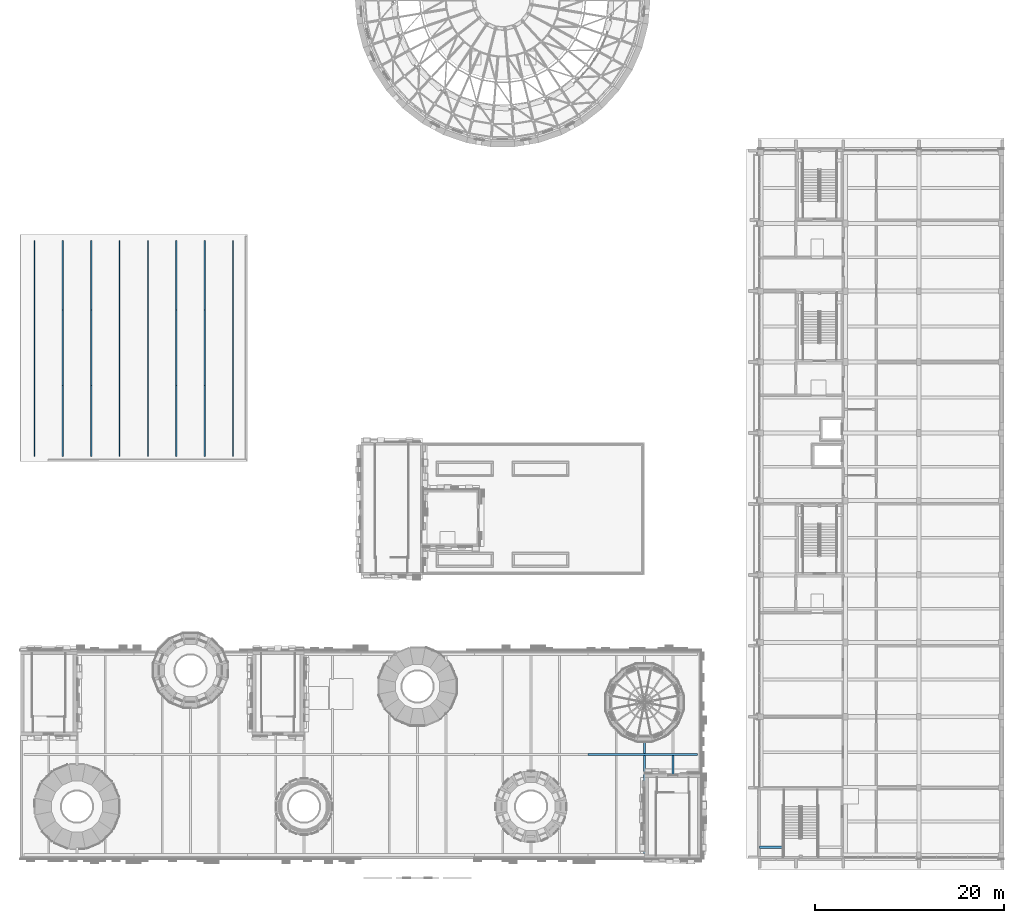
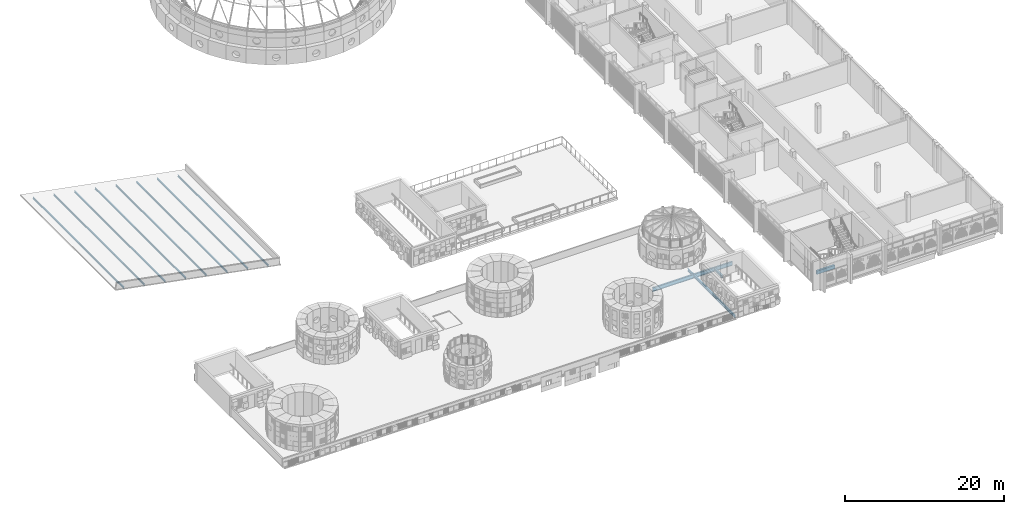
# One storey, part 13 of 98: 27 members, 2 beams.
"""IFC4 building model written with IfcOpenShell, lengths in metres."""

import ifcopenshell
import ifcopenshell.guid

model = None  # the IFC model being written
_history = None  # IfcOwnerHistory: only IFC2X3 demands one
_inside = {}  # id of a spatial element -> (the spatial element, [elements in it])
_under = {}  # id of a project, library or spatial element -> (it, [spatial elements below it])
_declared = {}  # id of a project -> (the project, [libraries it declares])
_typed = {}  # id of a type object -> (the type object, [elements of that type])
_made_of = {}  # id of a material, layer set ... -> (it, [elements and type objects made of it])


def new_model(schema):
    """Start an empty IFC model of exactly this schema.

    Asked for "IFC4X3", IfcOpenShell would pick the latest addendum, in which some entities
    have other attributes; the version numbers below select the first issue.
    IFC2X3 requires an IfcOwnerHistory on every rooted entity: one is made here for all.
    """
    global model, _history
    if schema == "IFC4X3":
        model = ifcopenshell.file(schema_version=(4, 3, 0, 0))
    else:
        model = ifcopenshell.file(schema=schema)
    _inside.clear()
    _under.clear()
    _declared.clear()
    _typed.clear()
    _made_of.clear()
    _history = None
    if model.schema == "IFC2X3":
        org = make("IfcOrganization", Name="unknown")
        user = make(
            "IfcPersonAndOrganization",
            ThePerson=make("IfcPerson", FamilyName="unknown"),
            TheOrganization=org,
        )
        app = make(
            "IfcApplication",
            ApplicationDeveloper=org,
            Version="unknown",
            ApplicationFullName="unknown",
            ApplicationIdentifier="unknown",
        )
        _history = make(
            "IfcOwnerHistory",
            OwningUser=user,
            OwningApplication=app,
            ChangeAction="ADDED",
            CreationDate=0,
        )
    return model


def make(cls, **values):
    """One entity of the class cls with the attributes given. An attribute that is None is left unset."""
    return model.create_entity(
        cls, **{name: value for name, value in values.items() if value is not None}
    )


def rooted(cls, **values):
    """An entity with a GlobalId (a new one), such as an element, a storey or a relation."""
    return make(cls, GlobalId=ifcopenshell.guid.new(), OwnerHistory=_history, **values)


def si_unit(unit_type, name, prefix=None):
    """IfcSIUnit, for example si_unit("LENGTHUNIT", "METRE", prefix="MILLI")."""
    return make("IfcSIUnit", UnitType=unit_type, Prefix=prefix, Name=name)


def assignment(units):
    """IfcUnitAssignment: the units of a project."""
    return None if units is None else make("IfcUnitAssignment", Units=units)


def point(xyz):
    """IfcCartesianPoint."""
    return None if xyz is None else make("IfcCartesianPoint", Coordinates=xyz)


def direction(xyz):
    """IfcDirection."""
    return None if xyz is None else make("IfcDirection", DirectionRatios=xyz)


def frame(location, z_axis=None, x_axis=None):
    """IfcAxis2Placement3D, a coordinate frame: its origin and axes. An axis left out is left unset."""
    return make(
        "IfcAxis2Placement3D",
        Location=point(location),
        Axis=direction(z_axis),
        RefDirection=direction(x_axis),
    )


def frame_2d(location, x_axis=None):
    """IfcAxis2Placement2D, a coordinate frame in the plane: its origin and x axis."""
    return make(
        "IfcAxis2Placement2D", Location=point(location), RefDirection=direction(x_axis)
    )


def origin():
    """The frame at (0, 0, 0) with its axes left unset."""
    return frame((0.0, 0.0, 0.0))


def origin_2d():
    """The frame at (0, 0) in the plane with its x axis left unset."""
    return frame_2d((0.0, 0.0))


def place(relative_to, where):
    """IfcLocalPlacement: puts the frame where relative to a parent placement (None: the world)."""
    return make(
        "IfcLocalPlacement", PlacementRelTo=relative_to, RelativePlacement=where
    )


def context(
    kind, dimensions, precision=None, world=None, true_north=None, identifier=None
):
    """IfcGeometricRepresentationContext, for example the 3D "Model" context."""
    return make(
        "IfcGeometricRepresentationContext",
        ContextIdentifier=identifier,
        ContextType=kind,
        CoordinateSpaceDimension=dimensions,
        Precision=precision,
        WorldCoordinateSystem=world,
        TrueNorth=true_north,
    )


def subcontext(parent, identifier, kind, view, scale=None):
    """IfcGeometricRepresentationSubContext, for example "Body" below "Model"."""
    return make(
        "IfcGeometricRepresentationSubContext",
        ContextIdentifier=identifier,
        ContextType=kind,
        ParentContext=parent,
        TargetScale=scale,
        TargetView=view,
    )


def project(units=None, contexts=None):
    """IfcProject with its units and contexts."""
    return rooted(
        "IfcProject",
        Name="project",
        RepresentationContexts=contexts,
        UnitsInContext=assignment(units),
    )


def spatial(cls, under=None, at=None, **own):
    """A site, building, storey or space (cls), placed at a placement, below another one or the project."""
    s = rooted(cls, ObjectPlacement=at, **own)
    if under is not None:
        _under.setdefault(under.id(), (under, []))[1].append(s)
    return s


def profile(cls, at=None, kind="AREA", **sizes):
    """A parametric profile (cls). Its sizes go by their IFC names, for example OverallWidth=200.0."""
    return make(cls, ProfileType=kind, Position=at, **sizes)


def rectangle(**sizes):
    """IfcRectangleProfileDef."""
    return profile("IfcRectangleProfileDef", **sizes)


def i_section(**sizes):
    """IfcIShapeProfileDef."""
    return profile("IfcIShapeProfileDef", **sizes)


def extrude(swept, where, along, depth):
    """IfcExtrudedAreaSolid: the profile swept, set in the frame where, extruded along a direction by depth."""
    return make(
        "IfcExtrudedAreaSolid",
        SweptArea=swept,
        Position=where,
        ExtrudedDirection=direction(along),
        Depth=depth,
    )


def shape(context_of_items, identifier, shape_type, items):
    """IfcShapeRepresentation: the items that make up one representation, for example the "Body"."""
    return make(
        "IfcShapeRepresentation",
        ContextOfItems=context_of_items,
        RepresentationIdentifier=identifier,
        RepresentationType=shape_type,
        Items=items,
    )


def material(Name=None, Category=None):
    """IfcMaterial."""
    return make("IfcMaterial", Name=Name, Category=Category)


def material_profile(
    of_material, cross_section, Name=None, Category=None, Priority=None
):
    """IfcMaterialProfile: a cross section and its material."""
    return make(
        "IfcMaterialProfile",
        Name=Name,
        Material=of_material,
        Profile=cross_section,
        Priority=Priority,
        Category=Category,
    )


def profile_set(profiles, Name=None, composite=None):
    """IfcMaterialProfileSet."""
    return make(
        "IfcMaterialProfileSet",
        Name=Name,
        MaterialProfiles=profiles,
        CompositeProfile=composite,
    )


def made_of(thing, what):
    """Note that an element or type object is made of a material, layer set ...; save() writes the relation."""
    if what is not None:
        _made_of.setdefault(what.id(), (what, []))[1].append(thing)
    return thing


def type_object(cls, material=None, **own):
    """A type object (cls), such as IfcWallType, which elements share."""
    return made_of(rooted(cls, **own), material)


def element(
    cls,
    number,
    at=None,
    inside=None,
    cuts=None,
    type_object=None,
    material=None,
    context=None,
    identifier="Body",
    shape_type=None,
    held_by="IfcProductDefinitionShape",
    body=None,
    shapes=None,
    **own,
):
    """One element of the class cls, such as IfcWall. Its Tag is "e" and its number.

    at: its placement. inside: the storey or other place that contains it. cuts: it is an
    opening in that element (IfcRelVoidsElement). A single representation is given by context,
    identifier, shape_type and body (its items); several are given by shapes. held_by: the class
    of the entity that holds the representations. save() writes the other relations.
    """
    e = rooted(cls, Tag="e%d" % number, ObjectPlacement=at, **own)
    if body is not None:
        shapes = [shape(context, identifier, shape_type, body)]
    if shapes is not None:
        e.Representation = make(held_by, Representations=shapes)
    if inside is not None:
        _inside.setdefault(inside.id(), (inside, []))[1].append(e)
    if cuts is not None:
        rooted(
            "IfcRelVoidsElement", RelatingBuildingElement=cuts, RelatedOpeningElement=e
        )
    if type_object is not None:
        _typed.setdefault(type_object.id(), (type_object, []))[1].append(e)
    return made_of(e, material)


def aggregate(whole, parts):
    """IfcRelAggregates: a whole, such as a stair, and the parts it consists of."""
    return rooted("IfcRelAggregates", RelatingObject=whole, RelatedObjects=parts)


def save(model, path):
    """Write the relations noted so far, then the file.

    IfcRelAggregates (storeys below a building ...), IfcRelContainedInSpatialStructure (elements
    in a storey), IfcRelDefinesByType, IfcRelAssociatesMaterial and IfcRelDeclares: one each for
    every whole, place, type object, material and project.
    """
    for whole, parts in _under.values():
        aggregate(whole, parts)
    for where, things in _inside.values():
        rooted(
            "IfcRelContainedInSpatialStructure",
            RelatedElements=things,
            RelatingStructure=where,
        )
    for kind, things in _typed.values():
        rooted("IfcRelDefinesByType", RelatedObjects=things, RelatingType=kind)
    for what, things in _made_of.values():
        rooted("IfcRelAssociatesMaterial", RelatedObjects=things, RelatingMaterial=what)
    for by, libraries in _declared.values():
        rooted("IfcRelDeclares", RelatingContext=by, RelatedDefinitions=libraries)
    model.write(path)


model = new_model("IFC4")

# Units and contexts
model_context = context("Model", 3, precision=1e-05, world=origin(), true_north=direction((0.0, 1.0)))
body_context = subcontext(model_context, "Body", "Model", "MODEL_VIEW")
ifc_project = project(units=[si_unit("LENGTHUNIT", "METRE"), si_unit("AREAUNIT", "SQUARE_METRE"), si_unit("VOLUMEUNIT", "CUBIC_METRE"), si_unit("PLANEANGLEUNIT", "RADIAN"), si_unit("MASSUNIT", "GRAM", prefix="KILO")], contexts=[model_context])

# Site, building, storey
site_placement = place(None, origin())
site = spatial("IfcSite", under=ifc_project, at=site_placement, CompositionType="ELEMENT")
building_placement = place(site_placement, origin())
building = spatial("IfcBuilding", under=site, at=building_placement, Name="Sun Court Science Centre", CompositionType="ELEMENT")
storey_placement = place(building_placement, frame((0.0, 0.0, 15.75)))
storey = spatial("IfcBuildingStorey", under=building, at=storey_placement, Name="L03", CompositionType="ELEMENT", Elevation=15.75)

# Beam
ifc_material_1 = material(Name="Concrete C25/30", Category="concrete")
ifc_material_profile_1 = material_profile(ifc_material_1, rectangle(XDim=0.300048828125, YDim=0.5, at=origin_2d()), Name="RC 300x500")
ifc_profile_set_1 = profile_set([ifc_material_profile_1], Name="Concrete C25/30")
beam_type_1 = type_object("IfcBeamType", Name="RC landing trimmer 300x500", PredefinedType="BEAM", material=ifc_profile_set_1)
beam_1_placement = place(storey_placement, frame((78.14990234375, 7.196044921875, 1.800048828125), z_axis=(1.0, 0.0, 0.0), x_axis=(0.0, 1.0, 0.0)))
element("IfcBeam", 1, at=beam_1_placement, inside=storey, type_object=beam_type_1, Name="SL1 landing 1 trimmer beam 22", PredefinedType="BEAM", context=body_context, shape_type="SweptSolid", body=[
    extrude(rectangle(XDim=0.300048828125, YDim=0.5, at=origin_2d()), origin(), (0.0, 0.0, 1.0), 2.6171875),
])

# Members
ifc_material_2 = material(Name="Steel S275", Category="steel")
ifc_material_profile_2 = material_profile(ifc_material_2, i_section(OverallWidth=0.135009765625, OverallDepth=0.27001953125, WebThickness=0.006591796875, FlangeThickness=0.01025390625, FilletRadius=0.014892578125, at=origin_2d()), Name="IPE 270")
ifc_profile_set_2 = profile_set([ifc_material_profile_2], Name="Steel S275")
member_type_1 = type_object("IfcMemberType", Name="Roof purlin IPE 270", PredefinedType="PURLIN", material=ifc_profile_set_2)
member_1_placement = place(storey_placement, frame((1.5, 48.5, 1.183837890625), z_axis=(0.0, 1.0, 0.0), x_axis=(-1.0, 0.0, 0.0)))
element("IfcMember", 2, at=member_1_placement, inside=storey, type_object=member_type_1, Name="Theatre roof purlin", PredefinedType="PURLIN", context=body_context, shape_type="SweptSolid", body=[
    extrude(i_section(OverallWidth=0.135009765625, OverallDepth=0.27001953125, WebThickness=0.006591796875, FlangeThickness=0.01025390625, FilletRadius=0.014892578125, at=origin_2d()), origin(), (0.0, 0.0, 1.0), 7.5),
])
member_2_placement = place(storey_placement, frame((1.5, 56.0, 1.183837890625), z_axis=(0.0, 1.0, 0.0), x_axis=(-1.0, 0.0, 0.0)))
element("IfcMember", 3, at=member_2_placement, inside=storey, type_object=member_type_1, Name="Theatre roof purlin", PredefinedType="PURLIN", context=body_context, shape_type="SweptSolid", body=[
    extrude(i_section(OverallWidth=0.135009765625, OverallDepth=0.27001953125, WebThickness=0.006591796875, FlangeThickness=0.01025390625, FilletRadius=0.014892578125, at=origin_2d()), origin(), (0.0, 0.0, 1.0), 8.0),
])
member_3_placement = place(storey_placement, frame((1.5, 64.0, 1.183837890625), z_axis=(0.0, 1.0, 0.0), x_axis=(-1.0, 0.0, 0.0)))
element("IfcMember", 4, at=member_3_placement, inside=storey, type_object=member_type_1, Name="Theatre roof purlin", PredefinedType="PURLIN", context=body_context, shape_type="SweptSolid", body=[
    extrude(i_section(OverallWidth=0.135009765625, OverallDepth=0.27001953125, WebThickness=0.006591796875, FlangeThickness=0.01025390625, FilletRadius=0.014892578125, at=origin_2d()), origin(), (0.0, 0.0, 1.0), 7.35009765625),
])
member_4_placement = place(storey_placement, frame((4.5, 48.5, 0.621337890625), z_axis=(0.0, 1.0, 0.0), x_axis=(-1.0, 0.0, 0.0)))
element("IfcMember", 5, at=member_4_placement, inside=storey, type_object=member_type_1, Name="Theatre roof purlin", PredefinedType="PURLIN", context=body_context, shape_type="SweptSolid", body=[
    extrude(i_section(OverallWidth=0.135009765625, OverallDepth=0.27001953125, WebThickness=0.006591796875, FlangeThickness=0.01025390625, FilletRadius=0.014892578125, at=origin_2d()), origin(), (0.0, 0.0, 1.0), 7.5),
])
member_5_placement = place(storey_placement, frame((4.5, 56.0, 0.621337890625), z_axis=(0.0, 1.0, 0.0), x_axis=(-1.0, 0.0, 0.0)))
element("IfcMember", 6, at=member_5_placement, inside=storey, type_object=member_type_1, Name="Theatre roof purlin", PredefinedType="PURLIN", context=body_context, shape_type="SweptSolid", body=[
    extrude(i_section(OverallWidth=0.135009765625, OverallDepth=0.27001953125, WebThickness=0.006591796875, FlangeThickness=0.01025390625, FilletRadius=0.014892578125, at=origin_2d()), origin(), (0.0, 0.0, 1.0), 8.0),
])
member_6_placement = place(storey_placement, frame((4.5, 64.0, 0.621337890625), z_axis=(0.0, 1.0, 0.0), x_axis=(-1.0, 0.0, 0.0)))
element("IfcMember", 7, at=member_6_placement, inside=storey, type_object=member_type_1, Name="Theatre roof purlin", PredefinedType="PURLIN", context=body_context, shape_type="SweptSolid", body=[
    extrude(i_section(OverallWidth=0.135009765625, OverallDepth=0.27001953125, WebThickness=0.006591796875, FlangeThickness=0.01025390625, FilletRadius=0.014892578125, at=origin_2d()), origin(), (0.0, 0.0, 1.0), 7.35009765625),
])
member_7_placement = place(storey_placement, frame((7.5, 48.5, 0.058837890625), z_axis=(0.0, 1.0, 0.0), x_axis=(-1.0, 0.0, 0.0)))
element("IfcMember", 8, at=member_7_placement, inside=storey, type_object=member_type_1, Name="Theatre roof purlin", PredefinedType="PURLIN", context=body_context, shape_type="SweptSolid", body=[
    extrude(i_section(OverallWidth=0.135009765625, OverallDepth=0.27001953125, WebThickness=0.006591796875, FlangeThickness=0.01025390625, FilletRadius=0.014892578125, at=origin_2d()), origin(), (0.0, 0.0, 1.0), 7.5),
])
member_8_placement = place(storey_placement, frame((7.5, 56.0, 0.058837890625), z_axis=(0.0, 1.0, 0.0), x_axis=(-1.0, 0.0, 0.0)))
element("IfcMember", 9, at=member_8_placement, inside=storey, type_object=member_type_1, Name="Theatre roof purlin", PredefinedType="PURLIN", context=body_context, shape_type="SweptSolid", body=[
    extrude(i_section(OverallWidth=0.135009765625, OverallDepth=0.27001953125, WebThickness=0.006591796875, FlangeThickness=0.01025390625, FilletRadius=0.014892578125, at=origin_2d()), origin(), (0.0, 0.0, 1.0), 8.0),
])
member_9_placement = place(storey_placement, frame((7.5, 64.0, 0.058837890625), z_axis=(0.0, 1.0, 0.0), x_axis=(-1.0, 0.0, 0.0)))
element("IfcMember", 10, at=member_9_placement, inside=storey, type_object=member_type_1, Name="Theatre roof purlin", PredefinedType="PURLIN", context=body_context, shape_type="SweptSolid", body=[
    extrude(i_section(OverallWidth=0.135009765625, OverallDepth=0.27001953125, WebThickness=0.006591796875, FlangeThickness=0.01025390625, FilletRadius=0.014892578125, at=origin_2d()), origin(), (0.0, 0.0, 1.0), 7.35009765625),
])
member_10_placement = place(storey_placement, frame((10.5, 48.5, -0.503662109375), z_axis=(0.0, 1.0, 0.0), x_axis=(-1.0, 0.0, 0.0)))
element("IfcMember", 11, at=member_10_placement, inside=storey, type_object=member_type_1, Name="Theatre roof purlin", PredefinedType="PURLIN", context=body_context, shape_type="SweptSolid", body=[
    extrude(i_section(OverallWidth=0.135009765625, OverallDepth=0.27001953125, WebThickness=0.006591796875, FlangeThickness=0.01025390625, FilletRadius=0.014892578125, at=origin_2d()), origin(), (0.0, 0.0, 1.0), 7.5),
])
member_11_placement = place(storey_placement, frame((10.5, 56.0, -0.503662109375), z_axis=(0.0, 1.0, 0.0), x_axis=(-1.0, 0.0, 0.0)))
element("IfcMember", 12, at=member_11_placement, inside=storey, type_object=member_type_1, Name="Theatre roof purlin", PredefinedType="PURLIN", context=body_context, shape_type="SweptSolid", body=[
    extrude(i_section(OverallWidth=0.135009765625, OverallDepth=0.27001953125, WebThickness=0.006591796875, FlangeThickness=0.01025390625, FilletRadius=0.014892578125, at=origin_2d()), origin(), (0.0, 0.0, 1.0), 8.0),
])
member_12_placement = place(storey_placement, frame((10.5, 64.0, -0.503662109375), z_axis=(0.0, 1.0, 0.0), x_axis=(-1.0, 0.0, 0.0)))
element("IfcMember", 13, at=member_12_placement, inside=storey, type_object=member_type_1, Name="Theatre roof purlin", PredefinedType="PURLIN", context=body_context, shape_type="SweptSolid", body=[
    extrude(i_section(OverallWidth=0.135009765625, OverallDepth=0.27001953125, WebThickness=0.006591796875, FlangeThickness=0.01025390625, FilletRadius=0.014892578125, at=origin_2d()), origin(), (0.0, 0.0, 1.0), 7.35009765625),
])
member_13_placement = place(storey_placement, frame((13.5, 48.5, -1.066162109375), z_axis=(0.0, 1.0, 0.0), x_axis=(-1.0, 0.0, 0.0)))
element("IfcMember", 14, at=member_13_placement, inside=storey, type_object=member_type_1, Name="Theatre roof purlin", PredefinedType="PURLIN", context=body_context, shape_type="SweptSolid", body=[
    extrude(i_section(OverallWidth=0.135009765625, OverallDepth=0.27001953125, WebThickness=0.006591796875, FlangeThickness=0.01025390625, FilletRadius=0.014892578125, at=origin_2d()), origin(), (0.0, 0.0, 1.0), 7.5),
])
member_14_placement = place(storey_placement, frame((13.5, 56.0, -1.066162109375), z_axis=(0.0, 1.0, 0.0), x_axis=(-1.0, 0.0, 0.0)))
element("IfcMember", 15, at=member_14_placement, inside=storey, type_object=member_type_1, Name="Theatre roof purlin", PredefinedType="PURLIN", context=body_context, shape_type="SweptSolid", body=[
    extrude(i_section(OverallWidth=0.135009765625, OverallDepth=0.27001953125, WebThickness=0.006591796875, FlangeThickness=0.01025390625, FilletRadius=0.014892578125, at=origin_2d()), origin(), (0.0, 0.0, 1.0), 8.0),
])
member_15_placement = place(storey_placement, frame((13.5, 64.0, -1.066162109375), z_axis=(0.0, 1.0, 0.0), x_axis=(-1.0, 0.0, 0.0)))
element("IfcMember", 16, at=member_15_placement, inside=storey, type_object=member_type_1, Name="Theatre roof purlin", PredefinedType="PURLIN", context=body_context, shape_type="SweptSolid", body=[
    extrude(i_section(OverallWidth=0.135009765625, OverallDepth=0.27001953125, WebThickness=0.006591796875, FlangeThickness=0.01025390625, FilletRadius=0.014892578125, at=origin_2d()), origin(), (0.0, 0.0, 1.0), 7.35009765625),
])
member_16_placement = place(storey_placement, frame((16.5, 48.5, -1.628662109375), z_axis=(0.0, 1.0, 0.0), x_axis=(-1.0, 0.0, 0.0)))
element("IfcMember", 17, at=member_16_placement, inside=storey, type_object=member_type_1, Name="Theatre roof purlin", PredefinedType="PURLIN", context=body_context, shape_type="SweptSolid", body=[
    extrude(i_section(OverallWidth=0.135009765625, OverallDepth=0.27001953125, WebThickness=0.006591796875, FlangeThickness=0.01025390625, FilletRadius=0.014892578125, at=origin_2d()), origin(), (0.0, 0.0, 1.0), 7.5),
])
member_17_placement = place(storey_placement, frame((16.5, 56.0, -1.628662109375), z_axis=(0.0, 1.0, 0.0), x_axis=(-1.0, 0.0, 0.0)))
element("IfcMember", 18, at=member_17_placement, inside=storey, type_object=member_type_1, Name="Theatre roof purlin", PredefinedType="PURLIN", context=body_context, shape_type="SweptSolid", body=[
    extrude(i_section(OverallWidth=0.135009765625, OverallDepth=0.27001953125, WebThickness=0.006591796875, FlangeThickness=0.01025390625, FilletRadius=0.014892578125, at=origin_2d()), origin(), (0.0, 0.0, 1.0), 8.0),
])
member_18_placement = place(storey_placement, frame((16.5, 64.0, -1.628662109375), z_axis=(0.0, 1.0, 0.0), x_axis=(-1.0, 0.0, 0.0)))
element("IfcMember", 19, at=member_18_placement, inside=storey, type_object=member_type_1, Name="Theatre roof purlin", PredefinedType="PURLIN", context=body_context, shape_type="SweptSolid", body=[
    extrude(i_section(OverallWidth=0.135009765625, OverallDepth=0.27001953125, WebThickness=0.006591796875, FlangeThickness=0.01025390625, FilletRadius=0.014892578125, at=origin_2d()), origin(), (0.0, 0.0, 1.0), 7.35009765625),
])
member_19_placement = place(storey_placement, frame((19.5, 48.5, -2.191162109375), z_axis=(0.0, 1.0, 0.0), x_axis=(-1.0, 0.0, 0.0)))
element("IfcMember", 20, at=member_19_placement, inside=storey, type_object=member_type_1, Name="Theatre roof purlin", PredefinedType="PURLIN", context=body_context, shape_type="SweptSolid", body=[
    extrude(i_section(OverallWidth=0.135009765625, OverallDepth=0.27001953125, WebThickness=0.006591796875, FlangeThickness=0.01025390625, FilletRadius=0.014892578125, at=origin_2d()), origin(), (0.0, 0.0, 1.0), 7.5),
])
member_20_placement = place(storey_placement, frame((19.5, 56.0, -2.191162109375), z_axis=(0.0, 1.0, 0.0), x_axis=(-1.0, 0.0, 0.0)))
element("IfcMember", 21, at=member_20_placement, inside=storey, type_object=member_type_1, Name="Theatre roof purlin", PredefinedType="PURLIN", context=body_context, shape_type="SweptSolid", body=[
    extrude(i_section(OverallWidth=0.135009765625, OverallDepth=0.27001953125, WebThickness=0.006591796875, FlangeThickness=0.01025390625, FilletRadius=0.014892578125, at=origin_2d()), origin(), (0.0, 0.0, 1.0), 8.0),
])
member_21_placement = place(storey_placement, frame((19.5, 64.0, -2.191162109375), z_axis=(0.0, 1.0, 0.0), x_axis=(-1.0, 0.0, 0.0)))
element("IfcMember", 22, at=member_21_placement, inside=storey, type_object=member_type_1, Name="Theatre roof purlin", PredefinedType="PURLIN", context=body_context, shape_type="SweptSolid", body=[
    extrude(i_section(OverallWidth=0.135009765625, OverallDepth=0.27001953125, WebThickness=0.006591796875, FlangeThickness=0.01025390625, FilletRadius=0.014892578125, at=origin_2d()), origin(), (0.0, 0.0, 1.0), 7.35009765625),
])
member_22_placement = place(storey_placement, frame((22.5, 48.5, -2.753662109375), z_axis=(0.0, 1.0, 0.0), x_axis=(-1.0, 0.0, 0.0)))
element("IfcMember", 23, at=member_22_placement, inside=storey, type_object=member_type_1, Name="Theatre roof purlin", PredefinedType="PURLIN", context=body_context, shape_type="SweptSolid", body=[
    extrude(i_section(OverallWidth=0.135009765625, OverallDepth=0.27001953125, WebThickness=0.006591796875, FlangeThickness=0.01025390625, FilletRadius=0.014892578125, at=origin_2d()), origin(), (0.0, 0.0, 1.0), 7.5),
])
member_23_placement = place(storey_placement, frame((22.5, 56.0, -2.753662109375), z_axis=(0.0, 1.0, 0.0), x_axis=(-1.0, 0.0, 0.0)))
element("IfcMember", 24, at=member_23_placement, inside=storey, type_object=member_type_1, Name="Theatre roof purlin", PredefinedType="PURLIN", context=body_context, shape_type="SweptSolid", body=[
    extrude(i_section(OverallWidth=0.135009765625, OverallDepth=0.27001953125, WebThickness=0.006591796875, FlangeThickness=0.01025390625, FilletRadius=0.014892578125, at=origin_2d()), origin(), (0.0, 0.0, 1.0), 8.0),
])
member_24_placement = place(storey_placement, frame((22.5, 64.0, -2.753662109375), z_axis=(0.0, 1.0, 0.0), x_axis=(-1.0, 0.0, 0.0)))
element("IfcMember", 25, at=member_24_placement, inside=storey, type_object=member_type_1, Name="Theatre roof purlin", PredefinedType="PURLIN", context=body_context, shape_type="SweptSolid", body=[
    extrude(i_section(OverallWidth=0.135009765625, OverallDepth=0.27001953125, WebThickness=0.006591796875, FlangeThickness=0.01025390625, FilletRadius=0.014892578125, at=origin_2d()), origin(), (0.0, 0.0, 1.0), 7.35009765625),
])
ifc_material_3 = material(Name="Steel S275", Category="steel")
ifc_material_profile_3 = material_profile(ifc_material_3, i_section(OverallWidth=0.179931640625, OverallDepth=0.39990234375, WebThickness=0.008544921875, FlangeThickness=0.013427734375, FilletRadius=0.02099609375, at=origin_2d()), Name="IPE 400")
ifc_profile_set_3 = profile_set([ifc_material_profile_3], Name="Steel S275")
member_type_2 = type_object("IfcMemberType", Name="Roof purlin IPE 400", PredefinedType="PURLIN", material=ifc_profile_set_3)
member_25_placement = place(storey_placement, frame((66.0, 6.550048828125, -0.35009765625), z_axis=(0.0, 1.0, 0.0), x_axis=(-1.0, 0.0, 0.0)))
element("IfcMember", 26, at=member_25_placement, inside=storey, type_object=member_type_2, Name="Roof purlin", PredefinedType="PURLIN", context=body_context, shape_type="SweptSolid", body=[
    extrude(i_section(OverallWidth=0.179931640625, OverallDepth=0.39990234375, WebThickness=0.008544921875, FlangeThickness=0.013427734375, FilletRadius=0.02099609375, at=origin_2d()), origin(), (0.0, 0.0, 1.0), 10.33984375),
])
member_26_placement = place(storey_placement, frame((66.0, 17.110107421875, -0.35009765625), z_axis=(0.0, 1.0, 0.0), x_axis=(-1.0, 0.0, 0.0)))
element("IfcMember", 27, at=member_26_placement, inside=storey, type_object=member_type_2, Name="Roof purlin", PredefinedType="PURLIN", context=body_context, shape_type="SweptSolid", body=[
    extrude(i_section(OverallWidth=0.179931640625, OverallDepth=0.39990234375, WebThickness=0.008544921875, FlangeThickness=0.013427734375, FilletRadius=0.02099609375, at=origin_2d()), origin(), (0.0, 0.0, 1.0), 1.37060546875),
])
member_27_placement = place(storey_placement, frame((69.0, 14.89990234375, -0.35009765625), z_axis=(0.0, 1.0, 0.0), x_axis=(-1.0, 0.0, 0.0)))
element("IfcMember", 28, at=member_27_placement, inside=storey, type_object=member_type_2, Name="Roof purlin", PredefinedType="PURLIN", context=body_context, shape_type="SweptSolid", body=[
    extrude(i_section(OverallWidth=0.179931640625, OverallDepth=0.39990234375, WebThickness=0.008544921875, FlangeThickness=0.013427734375, FilletRadius=0.02099609375, at=origin_2d()), origin(), (0.0, 0.0, 1.0), 1.989990234375),
])

# Beam
ifc_material_4 = material(Name="Steel S355", Category="steel")
ifc_material_profile_4 = material_profile(ifc_material_4, i_section(OverallWidth=0.219970703125, OverallDepth=0.60009765625, WebThickness=0.011962890625, FlangeThickness=0.01904296875, FilletRadius=0.02392578125, at=origin_2d()), Name="IPE 600")
ifc_profile_set_4 = profile_set([ifc_material_profile_4], Name="Steel S355")
beam_type_2 = type_object("IfcBeamType", Name="Steel beam IPE 600", PredefinedType="BEAM", material=ifc_profile_set_4)
beam_2_placement = place(storey_placement, frame((60.0009765625, 17.0, -0.449951171875), z_axis=(1.0, 0.0, 0.0), x_axis=(0.0, 1.0, 0.0)))
element("IfcBeam", 29, at=beam_2_placement, inside=storey, type_object=beam_type_2, Name="Roof girder line 2", PredefinedType="BEAM", context=body_context, shape_type="SweptSolid", body=[
    extrude(i_section(OverallWidth=0.219970703125, OverallDepth=0.60009765625, WebThickness=0.011962890625, FlangeThickness=0.01904296875, FilletRadius=0.02392578125, at=origin_2d()), origin(), (0.0, 0.0, 1.0), 11.59814453125),
])

save(model, "model.ifc")
